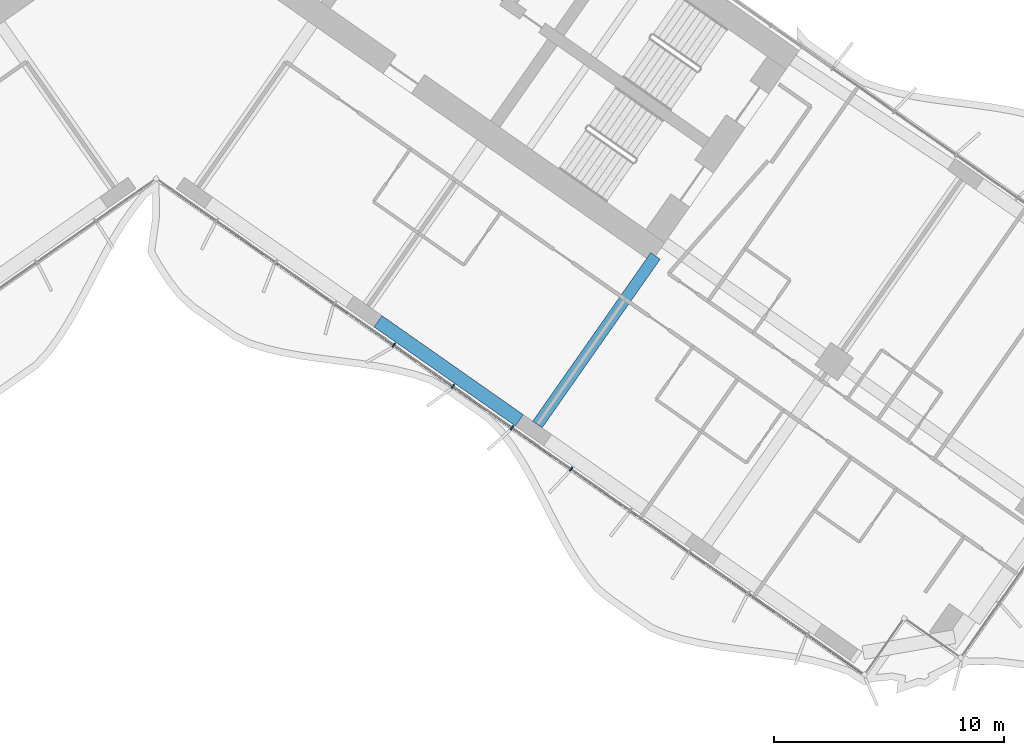
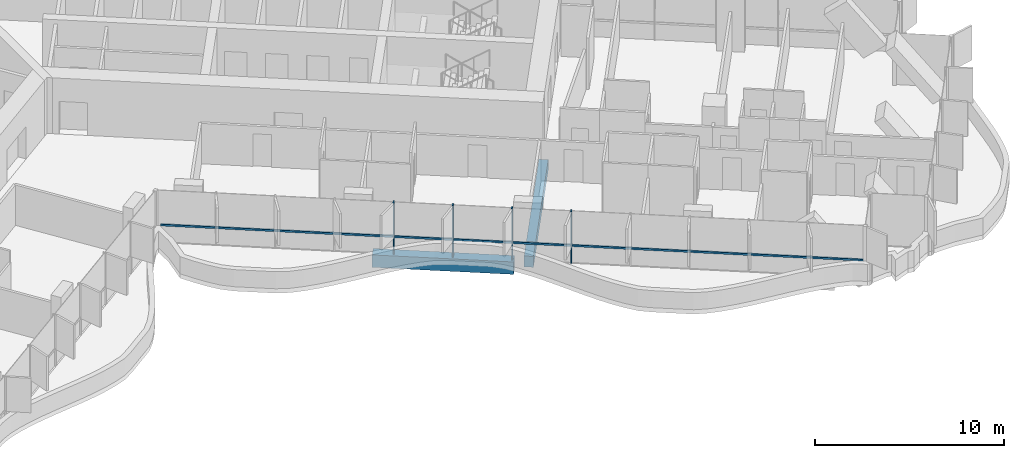
# One storey, part 5 of 24: 5 members, 2 beams, 1 element without a shape of its own.
"""IFC4 building model written with IfcOpenShell, lengths in metres."""

import ifcopenshell
import ifcopenshell.guid

model = None  # the IFC model being written
_history = None  # IfcOwnerHistory: only IFC2X3 demands one
_inside = {}  # id of a spatial element -> (the spatial element, [elements in it])
_under = {}  # id of a project, library or spatial element -> (it, [spatial elements below it])
_declared = {}  # id of a project -> (the project, [libraries it declares])
_typed = {}  # id of a type object -> (the type object, [elements of that type])
_made_of = {}  # id of a material, layer set ... -> (it, [elements and type objects made of it])


def new_model(schema):
    """Start an empty IFC model of exactly this schema.

    Asked for "IFC4X3", IfcOpenShell would pick the latest addendum, in which some entities
    have other attributes; the version numbers below select the first issue.
    IFC2X3 requires an IfcOwnerHistory on every rooted entity: one is made here for all.
    """
    global model, _history
    if schema == "IFC4X3":
        model = ifcopenshell.file(schema_version=(4, 3, 0, 0))
    else:
        model = ifcopenshell.file(schema=schema)
    _inside.clear()
    _under.clear()
    _declared.clear()
    _typed.clear()
    _made_of.clear()
    _history = None
    if model.schema == "IFC2X3":
        org = make("IfcOrganization", Name="unknown")
        user = make(
            "IfcPersonAndOrganization",
            ThePerson=make("IfcPerson", FamilyName="unknown"),
            TheOrganization=org,
        )
        app = make(
            "IfcApplication",
            ApplicationDeveloper=org,
            Version="unknown",
            ApplicationFullName="unknown",
            ApplicationIdentifier="unknown",
        )
        _history = make(
            "IfcOwnerHistory",
            OwningUser=user,
            OwningApplication=app,
            ChangeAction="ADDED",
            CreationDate=0,
        )
    return model


def make(cls, **values):
    """One entity of the class cls with the attributes given. An attribute that is None is left unset."""
    return model.create_entity(
        cls, **{name: value for name, value in values.items() if value is not None}
    )


def rooted(cls, **values):
    """An entity with a GlobalId (a new one), such as an element, a storey or a relation."""
    return make(cls, GlobalId=ifcopenshell.guid.new(), OwnerHistory=_history, **values)


def si_unit(unit_type, name, prefix=None):
    """IfcSIUnit, for example si_unit("LENGTHUNIT", "METRE", prefix="MILLI")."""
    return make("IfcSIUnit", UnitType=unit_type, Prefix=prefix, Name=name)


def assignment(units):
    """IfcUnitAssignment: the units of a project."""
    return None if units is None else make("IfcUnitAssignment", Units=units)


def point(xyz):
    """IfcCartesianPoint."""
    return None if xyz is None else make("IfcCartesianPoint", Coordinates=xyz)


def direction(xyz):
    """IfcDirection."""
    return None if xyz is None else make("IfcDirection", DirectionRatios=xyz)


def frame(location, z_axis=None, x_axis=None):
    """IfcAxis2Placement3D, a coordinate frame: its origin and axes. An axis left out is left unset."""
    return make(
        "IfcAxis2Placement3D",
        Location=point(location),
        Axis=direction(z_axis),
        RefDirection=direction(x_axis),
    )


def frame_2d(location, x_axis=None):
    """IfcAxis2Placement2D, a coordinate frame in the plane: its origin and x axis."""
    return make(
        "IfcAxis2Placement2D", Location=point(location), RefDirection=direction(x_axis)
    )


def origin():
    """The frame at (0, 0, 0) with its axes left unset."""
    return frame((0.0, 0.0, 0.0))


def origin_2d():
    """The frame at (0, 0) in the plane with its x axis left unset."""
    return frame_2d((0.0, 0.0))


def place(relative_to, where):
    """IfcLocalPlacement: puts the frame where relative to a parent placement (None: the world)."""
    return make(
        "IfcLocalPlacement", PlacementRelTo=relative_to, RelativePlacement=where
    )


def context(
    kind, dimensions, precision=None, world=None, true_north=None, identifier=None
):
    """IfcGeometricRepresentationContext, for example the 3D "Model" context."""
    return make(
        "IfcGeometricRepresentationContext",
        ContextIdentifier=identifier,
        ContextType=kind,
        CoordinateSpaceDimension=dimensions,
        Precision=precision,
        WorldCoordinateSystem=world,
        TrueNorth=true_north,
    )


def subcontext(parent, identifier, kind, view, scale=None):
    """IfcGeometricRepresentationSubContext, for example "Body" below "Model"."""
    return make(
        "IfcGeometricRepresentationSubContext",
        ContextIdentifier=identifier,
        ContextType=kind,
        ParentContext=parent,
        TargetScale=scale,
        TargetView=view,
    )


def project(units=None, contexts=None):
    """IfcProject with its units and contexts."""
    return rooted(
        "IfcProject",
        Name="project",
        RepresentationContexts=contexts,
        UnitsInContext=assignment(units),
    )


def spatial(cls, under=None, at=None, **own):
    """A site, building, storey or space (cls), placed at a placement, below another one or the project."""
    s = rooted(cls, ObjectPlacement=at, **own)
    if under is not None:
        _under.setdefault(under.id(), (under, []))[1].append(s)
    return s


def profile(cls, at=None, kind="AREA", **sizes):
    """A parametric profile (cls). Its sizes go by their IFC names, for example OverallWidth=200.0."""
    return make(cls, ProfileType=kind, Position=at, **sizes)


def rectangle(**sizes):
    """IfcRectangleProfileDef."""
    return profile("IfcRectangleProfileDef", **sizes)


def extrude(swept, where, along, depth):
    """IfcExtrudedAreaSolid: the profile swept, set in the frame where, extruded along a direction by depth."""
    return make(
        "IfcExtrudedAreaSolid",
        SweptArea=swept,
        Position=where,
        ExtrudedDirection=direction(along),
        Depth=depth,
    )


def shape(context_of_items, identifier, shape_type, items):
    """IfcShapeRepresentation: the items that make up one representation, for example the "Body"."""
    return make(
        "IfcShapeRepresentation",
        ContextOfItems=context_of_items,
        RepresentationIdentifier=identifier,
        RepresentationType=shape_type,
        Items=items,
    )


def material(Name=None, Category=None):
    """IfcMaterial."""
    return make("IfcMaterial", Name=Name, Category=Category)


def material_profile(
    of_material, cross_section, Name=None, Category=None, Priority=None
):
    """IfcMaterialProfile: a cross section and its material."""
    return make(
        "IfcMaterialProfile",
        Name=Name,
        Material=of_material,
        Profile=cross_section,
        Priority=Priority,
        Category=Category,
    )


def profile_set(profiles, Name=None, composite=None):
    """IfcMaterialProfileSet."""
    return make(
        "IfcMaterialProfileSet",
        Name=Name,
        MaterialProfiles=profiles,
        CompositeProfile=composite,
    )


def made_of(thing, what):
    """Note that an element or type object is made of a material, layer set ...; save() writes the relation."""
    if what is not None:
        _made_of.setdefault(what.id(), (what, []))[1].append(thing)
    return thing


def type_object(cls, material=None, **own):
    """A type object (cls), such as IfcWallType, which elements share."""
    return made_of(rooted(cls, **own), material)


def element(
    cls,
    number,
    at=None,
    inside=None,
    cuts=None,
    type_object=None,
    material=None,
    context=None,
    identifier="Body",
    shape_type=None,
    held_by="IfcProductDefinitionShape",
    body=None,
    shapes=None,
    **own,
):
    """One element of the class cls, such as IfcWall. Its Tag is "e" and its number.

    at: its placement. inside: the storey or other place that contains it. cuts: it is an
    opening in that element (IfcRelVoidsElement). A single representation is given by context,
    identifier, shape_type and body (its items); several are given by shapes. held_by: the class
    of the entity that holds the representations. save() writes the other relations.
    """
    e = rooted(cls, Tag="e%d" % number, ObjectPlacement=at, **own)
    if body is not None:
        shapes = [shape(context, identifier, shape_type, body)]
    if shapes is not None:
        e.Representation = make(held_by, Representations=shapes)
    if inside is not None:
        _inside.setdefault(inside.id(), (inside, []))[1].append(e)
    if cuts is not None:
        rooted(
            "IfcRelVoidsElement", RelatingBuildingElement=cuts, RelatedOpeningElement=e
        )
    if type_object is not None:
        _typed.setdefault(type_object.id(), (type_object, []))[1].append(e)
    return made_of(e, material)


def aggregate(whole, parts):
    """IfcRelAggregates: a whole, such as a stair, and the parts it consists of."""
    return rooted("IfcRelAggregates", RelatingObject=whole, RelatedObjects=parts)


def save(model, path):
    """Write the relations noted so far, then the file.

    IfcRelAggregates (storeys below a building ...), IfcRelContainedInSpatialStructure (elements
    in a storey), IfcRelDefinesByType, IfcRelAssociatesMaterial and IfcRelDeclares: one each for
    every whole, place, type object, material and project.
    """
    for whole, parts in _under.values():
        aggregate(whole, parts)
    for where, things in _inside.values():
        rooted(
            "IfcRelContainedInSpatialStructure",
            RelatedElements=things,
            RelatingStructure=where,
        )
    for kind, things in _typed.values():
        rooted("IfcRelDefinesByType", RelatedObjects=things, RelatingType=kind)
    for what, things in _made_of.values():
        rooted("IfcRelAssociatesMaterial", RelatedObjects=things, RelatingMaterial=what)
    for by, libraries in _declared.values():
        rooted("IfcRelDeclares", RelatingContext=by, RelatedDefinitions=libraries)
    model.write(path)


model = new_model("IFC4")

# Units and contexts
model_context = context("Model", 3, precision=1e-05, world=origin(), true_north=direction((0.0, 1.0)))
body_context = subcontext(model_context, "Body", "Model", "MODEL_VIEW")
ifc_project = project(units=[si_unit("LENGTHUNIT", "METRE"), si_unit("AREAUNIT", "SQUARE_METRE"), si_unit("VOLUMEUNIT", "CUBIC_METRE"), si_unit("PLANEANGLEUNIT", "RADIAN"), si_unit("MASSUNIT", "GRAM", prefix="KILO")], contexts=[model_context])

# Site, building, storey
site_placement = place(None, origin())
site = spatial("IfcSite", under=ifc_project, at=site_placement, CompositionType="ELEMENT")
building_placement = place(site_placement, origin())
building = spatial("IfcBuilding", under=site, at=building_placement, Name="Tel Ilan Convention Tower", CompositionType="ELEMENT")
storey_placement = place(building_placement, frame((0.0, 0.0, 72.5)))
storey = spatial("IfcBuildingStorey", under=building, at=storey_placement, Name="L13", CompositionType="ELEMENT", Elevation=72.5)

# Beams
ifc_material_1 = material(Name="Concrete C40/50", Category="concrete")
ifc_material_profile_1 = material_profile(ifc_material_1, rectangle(XDim=0.5, YDim=0.699951171875, at=origin_2d()), Name="RC 500x700")
ifc_profile_set_1 = profile_set([ifc_material_profile_1], Name="Concrete C40/50")
beam_type_1 = type_object("IfcBeamType", Name="Beam RC 500x700 Concrete C40/50", PredefinedType="BEAM", material=ifc_profile_set_1)
beam_1_placement = place(storey_placement, frame((16.58203125, -23.391357421875, -0.6298828125), z_axis=(0.573584999642, 0.819146048141, 0.0), x_axis=(-0.819146048141, 0.573584999642, 0.0)))
element("IfcBeam", 1, at=beam_1_placement, inside=storey, type_object=beam_type_1, Name="L13 beam E-E-F3-core", PredefinedType="BEAM", context=body_context, shape_type="SweptSolid", body=[
    extrude(rectangle(XDim=0.5, YDim=0.699951171875, at=origin_2d()), origin(), (0.0, 0.0, 1.0), 8.949951171875),
])
ifc_material_2 = material(Name="Concrete C40/50", Category="concrete")
ifc_material_profile_2 = material_profile(ifc_material_2, rectangle(XDim=0.60009765625, YDim=0.800048828125, at=origin_2d()), Name="RC 600x800")
ifc_profile_set_2 = profile_set([ifc_material_profile_2], Name="Concrete C40/50")
beam_type_2 = type_object("IfcBeamType", Name="Beam RC 600x800 Concrete C40/50", PredefinedType="BEAM", material=ifc_profile_set_2)
beam_2_placement = place(storey_placement, frame((9.652099609375, -18.905029296875, -0.679931640625), z_axis=(0.81915238829, -0.573575945067, 0.0), x_axis=(0.573575945067, 0.81915238829, 0.0)))
element("IfcBeam", 2, at=beam_2_placement, inside=storey, type_object=beam_type_2, Name="L13 beam E-E-F2-E-F3", PredefinedType="BEAM", context=body_context, shape_type="SweptSolid", body=[
    extrude(rectangle(XDim=0.60009765625, YDim=0.800048828125, at=origin_2d()), origin(), (0.0, 0.0, 1.0), 7.5),
])

# Curtain wall, members
ifc_material_3 = material(Name="Aluminium, bronze anodised", Category="aluminium")
curtain_wall_type = type_object("IfcCurtainWallType", Name="CW1 UNITISED CURTAIN WALL, HOTEL TINTED GLASS", PredefinedType="NOTDEFINED", material=ifc_material_3)
curtain_wall_placement = place(storey_placement, origin())
curtain_wall = element("IfcCurtainWall", 3, at=curtain_wall_placement, inside=storey, type_object=curtain_wall_type, Name="Curtain wall CW1-13.02", PredefinedType="NOTDEFINED")
ifc_material_4 = material(Name="Aluminium, bronze anodised", Category="aluminium")
ifc_material_profile_3 = material_profile(ifc_material_4, rectangle(XDim=0.06005859375, YDim=0.199951171875, at=origin_2d()), Name="CW MULLION 60x200")
ifc_profile_set_3 = profile_set([ifc_material_profile_3], Name="Aluminium, bronze anodised")
member_type_1 = type_object("IfcMemberType", Name="CW MULLION 60x200", PredefinedType="MULLION", material=ifc_profile_set_3)
member_1_placement = place(storey_placement, frame((10.337158203125, -19.93408203125, 0.0), z_axis=(0.0, 0.0, 1.0), x_axis=(0.819152044289, -0.573576436351, 0.0)))
member_1 = element("IfcMember", 4, at=member_1_placement, type_object=member_type_1, Name="Mullion", PredefinedType="MULLION", context=body_context, shape_type="SweptSolid", body=[
    extrude(rectangle(XDim=0.06005859375, YDim=0.199951171875, at=origin_2d()), origin(), (0.0, 0.0, 1.0), 3.320068359375),
])
member_2_placement = place(storey_placement, frame((12.906982421875, -21.733642578125, 0.0), z_axis=(0.0, 0.0, 1.0), x_axis=(0.819152044289, -0.573576436351, 0.0)))
member_2 = element("IfcMember", 5, at=member_2_placement, type_object=member_type_1, Name="Mullion", PredefinedType="MULLION", context=body_context, shape_type="SweptSolid", body=[
    extrude(rectangle(XDim=0.06005859375, YDim=0.199951171875, at=origin_2d()), origin(), (0.0, 0.0, 1.0), 3.320068359375),
])
member_3_placement = place(storey_placement, frame((15.47705078125, -23.533203125, 0.0), z_axis=(0.0, 0.0, 1.0), x_axis=(0.819152044289, -0.573576436351, 0.0)))
member_3 = element("IfcMember", 6, at=member_3_placement, type_object=member_type_1, Name="Mullion", PredefinedType="MULLION", context=body_context, shape_type="SweptSolid", body=[
    extrude(rectangle(XDim=0.06005859375, YDim=0.199951171875, at=origin_2d()), origin(), (0.0, 0.0, 1.0), 3.320068359375),
])
member_4_placement = place(storey_placement, frame((18.046875, -25.332763671875, 0.0), z_axis=(0.0, 0.0, 1.0), x_axis=(0.819152044289, -0.573576436351, 0.0)))
member_4 = element("IfcMember", 7, at=member_4_placement, type_object=member_type_1, Name="Mullion", PredefinedType="MULLION", context=body_context, shape_type="SweptSolid", body=[
    extrude(rectangle(XDim=0.06005859375, YDim=0.199951171875, at=origin_2d()), origin(), (0.0, 0.0, 1.0), 3.320068359375),
])
ifc_material_5 = material(Name="Aluminium, bronze anodised", Category="aluminium")
ifc_material_profile_4 = material_profile(ifc_material_5, rectangle(XDim=0.10009765625, YDim=0.1201171875, at=origin_2d()), Name="CW TRANSOM 100x120")
ifc_profile_set_4 = profile_set([ifc_material_profile_4], Name="Aluminium, bronze anodised")
member_type_2 = type_object("IfcMemberType", Name="CW TRANSOM 100x120", PredefinedType="USERDEFINED", material=ifc_profile_set_4)
member_5_placement = place(storey_placement, frame((0.22119140625, -12.850830078125, 1.10009765625), z_axis=(0.819152467103, -0.57357583251, 0.0), x_axis=(0.57357583251, 0.819152467103, 0.0)))
member_5 = element("IfcMember", 8, at=member_5_placement, type_object=member_type_2, Name="Transom", ObjectType="TRANSOM", PredefinedType="USERDEFINED", context=body_context, shape_type="SweptSolid", body=[
    extrude(rectangle(XDim=0.10009765625, YDim=0.1201171875, at=origin_2d()), origin(), (0.0, 0.0, 1.0), 37.247802734375),
])
aggregate(curtain_wall, [member_1, member_2, member_3, member_4, member_5])

save(model, "model.ifc")
